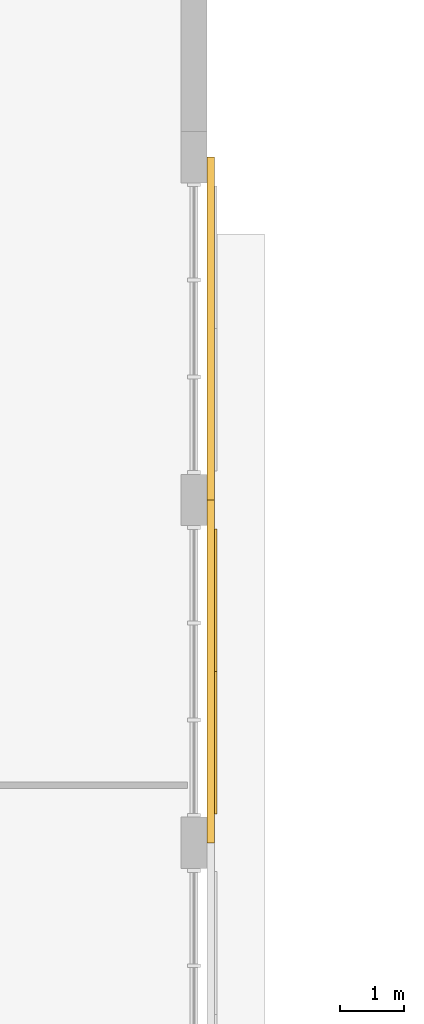
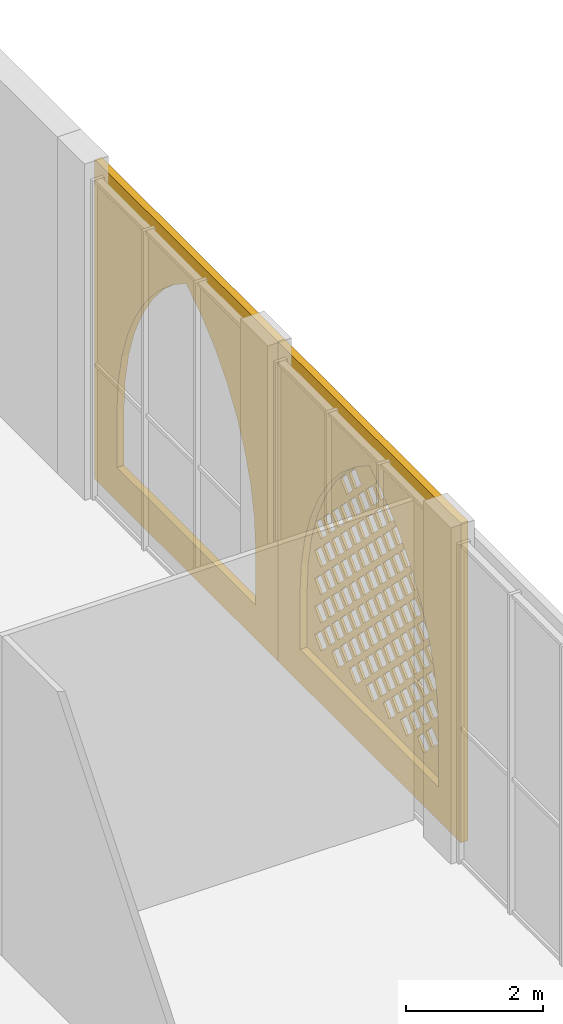
# One storey, part 41 of 74: 3 coverings.
"""IFC4 building model written with IfcOpenShell, lengths in metres."""

import ifcopenshell
import ifcopenshell.guid

model = None  # the IFC model being written
_history = None  # IfcOwnerHistory: only IFC2X3 demands one
_inside = {}  # id of a spatial element -> (the spatial element, [elements in it])
_under = {}  # id of a project, library or spatial element -> (it, [spatial elements below it])
_declared = {}  # id of a project -> (the project, [libraries it declares])
_typed = {}  # id of a type object -> (the type object, [elements of that type])
_made_of = {}  # id of a material, layer set ... -> (it, [elements and type objects made of it])


def new_model(schema):
    """Start an empty IFC model of exactly this schema.

    Asked for "IFC4X3", IfcOpenShell would pick the latest addendum, in which some entities
    have other attributes; the version numbers below select the first issue.
    IFC2X3 requires an IfcOwnerHistory on every rooted entity: one is made here for all.
    """
    global model, _history
    if schema == "IFC4X3":
        model = ifcopenshell.file(schema_version=(4, 3, 0, 0))
    else:
        model = ifcopenshell.file(schema=schema)
    _inside.clear()
    _under.clear()
    _declared.clear()
    _typed.clear()
    _made_of.clear()
    _history = None
    if model.schema == "IFC2X3":
        org = make("IfcOrganization", Name="unknown")
        user = make(
            "IfcPersonAndOrganization",
            ThePerson=make("IfcPerson", FamilyName="unknown"),
            TheOrganization=org,
        )
        app = make(
            "IfcApplication",
            ApplicationDeveloper=org,
            Version="unknown",
            ApplicationFullName="unknown",
            ApplicationIdentifier="unknown",
        )
        _history = make(
            "IfcOwnerHistory",
            OwningUser=user,
            OwningApplication=app,
            ChangeAction="ADDED",
            CreationDate=0,
        )
    return model


def make(cls, **values):
    """One entity of the class cls with the attributes given. An attribute that is None is left unset."""
    return model.create_entity(
        cls, **{name: value for name, value in values.items() if value is not None}
    )


def rooted(cls, **values):
    """An entity with a GlobalId (a new one), such as an element, a storey or a relation."""
    return make(cls, GlobalId=ifcopenshell.guid.new(), OwnerHistory=_history, **values)


def si_unit(unit_type, name, prefix=None):
    """IfcSIUnit, for example si_unit("LENGTHUNIT", "METRE", prefix="MILLI")."""
    return make("IfcSIUnit", UnitType=unit_type, Prefix=prefix, Name=name)


def assignment(units):
    """IfcUnitAssignment: the units of a project."""
    return None if units is None else make("IfcUnitAssignment", Units=units)


def point(xyz):
    """IfcCartesianPoint."""
    return None if xyz is None else make("IfcCartesianPoint", Coordinates=xyz)


def direction(xyz):
    """IfcDirection."""
    return None if xyz is None else make("IfcDirection", DirectionRatios=xyz)


def frame(location, z_axis=None, x_axis=None):
    """IfcAxis2Placement3D, a coordinate frame: its origin and axes. An axis left out is left unset."""
    return make(
        "IfcAxis2Placement3D",
        Location=point(location),
        Axis=direction(z_axis),
        RefDirection=direction(x_axis),
    )


def origin():
    """The frame at (0, 0, 0) with its axes left unset."""
    return frame((0.0, 0.0, 0.0))


def place(relative_to, where):
    """IfcLocalPlacement: puts the frame where relative to a parent placement (None: the world)."""
    return make(
        "IfcLocalPlacement", PlacementRelTo=relative_to, RelativePlacement=where
    )


def context(
    kind, dimensions, precision=None, world=None, true_north=None, identifier=None
):
    """IfcGeometricRepresentationContext, for example the 3D "Model" context."""
    return make(
        "IfcGeometricRepresentationContext",
        ContextIdentifier=identifier,
        ContextType=kind,
        CoordinateSpaceDimension=dimensions,
        Precision=precision,
        WorldCoordinateSystem=world,
        TrueNorth=true_north,
    )


def subcontext(parent, identifier, kind, view, scale=None):
    """IfcGeometricRepresentationSubContext, for example "Body" below "Model"."""
    return make(
        "IfcGeometricRepresentationSubContext",
        ContextIdentifier=identifier,
        ContextType=kind,
        ParentContext=parent,
        TargetScale=scale,
        TargetView=view,
    )


def project(units=None, contexts=None):
    """IfcProject with its units and contexts."""
    return rooted(
        "IfcProject",
        Name="project",
        RepresentationContexts=contexts,
        UnitsInContext=assignment(units),
    )


def spatial(cls, under=None, at=None, **own):
    """A site, building, storey or space (cls), placed at a placement, below another one or the project."""
    s = rooted(cls, ObjectPlacement=at, **own)
    if under is not None:
        _under.setdefault(under.id(), (under, []))[1].append(s)
    return s


def polyline(points):
    """IfcPolyline through the points."""
    return make("IfcPolyline", Points=[point(p) for p in points])


def outline(outer, holes=None, kind="AREA"):
    """IfcArbitraryClosedProfileDef: a profile drawn as a closed curve; with holes, ...WithVoids."""
    if holes is None:
        return make("IfcArbitraryClosedProfileDef", ProfileType=kind, OuterCurve=outer)
    return make(
        "IfcArbitraryProfileDefWithVoids",
        ProfileType=kind,
        OuterCurve=outer,
        InnerCurves=holes,
    )


def extrude(swept, where, along, depth):
    """IfcExtrudedAreaSolid: the profile swept, set in the frame where, extruded along a direction by depth."""
    return make(
        "IfcExtrudedAreaSolid",
        SweptArea=swept,
        Position=where,
        ExtrudedDirection=direction(along),
        Depth=depth,
    )


def shape(context_of_items, identifier, shape_type, items):
    """IfcShapeRepresentation: the items that make up one representation, for example the "Body"."""
    return make(
        "IfcShapeRepresentation",
        ContextOfItems=context_of_items,
        RepresentationIdentifier=identifier,
        RepresentationType=shape_type,
        Items=items,
    )


def material(Name=None, Category=None):
    """IfcMaterial."""
    return make("IfcMaterial", Name=Name, Category=Category)


def layer(
    of_material, thickness, ventilated=None, Name=None, Category=None, Priority=None
):
    """IfcMaterialLayer: one layer of a wall or slab, of a material (None: an air gap)."""
    return make(
        "IfcMaterialLayer",
        Material=of_material,
        LayerThickness=thickness,
        IsVentilated=ventilated,
        Name=Name,
        Category=Category,
        Priority=Priority,
    )


def layer_set(layers, Name=None):
    """IfcMaterialLayerSet."""
    return make("IfcMaterialLayerSet", MaterialLayers=layers, LayerSetName=Name)


def made_of(thing, what):
    """Note that an element or type object is made of a material, layer set ...; save() writes the relation."""
    if what is not None:
        _made_of.setdefault(what.id(), (what, []))[1].append(thing)
    return thing


def type_object(cls, material=None, **own):
    """A type object (cls), such as IfcWallType, which elements share."""
    return made_of(rooted(cls, **own), material)


def element(
    cls,
    number,
    at=None,
    inside=None,
    cuts=None,
    type_object=None,
    material=None,
    context=None,
    identifier="Body",
    shape_type=None,
    held_by="IfcProductDefinitionShape",
    body=None,
    shapes=None,
    **own,
):
    """One element of the class cls, such as IfcWall. Its Tag is "e" and its number.

    at: its placement. inside: the storey or other place that contains it. cuts: it is an
    opening in that element (IfcRelVoidsElement). A single representation is given by context,
    identifier, shape_type and body (its items); several are given by shapes. held_by: the class
    of the entity that holds the representations. save() writes the other relations.
    """
    e = rooted(cls, Tag="e%d" % number, ObjectPlacement=at, **own)
    if body is not None:
        shapes = [shape(context, identifier, shape_type, body)]
    if shapes is not None:
        e.Representation = make(held_by, Representations=shapes)
    if inside is not None:
        _inside.setdefault(inside.id(), (inside, []))[1].append(e)
    if cuts is not None:
        rooted(
            "IfcRelVoidsElement", RelatingBuildingElement=cuts, RelatedOpeningElement=e
        )
    if type_object is not None:
        _typed.setdefault(type_object.id(), (type_object, []))[1].append(e)
    return made_of(e, material)


def aggregate(whole, parts):
    """IfcRelAggregates: a whole, such as a stair, and the parts it consists of."""
    return rooted("IfcRelAggregates", RelatingObject=whole, RelatedObjects=parts)


def save(model, path):
    """Write the relations noted so far, then the file.

    IfcRelAggregates (storeys below a building ...), IfcRelContainedInSpatialStructure (elements
    in a storey), IfcRelDefinesByType, IfcRelAssociatesMaterial and IfcRelDeclares: one each for
    every whole, place, type object, material and project.
    """
    for whole, parts in _under.values():
        aggregate(whole, parts)
    for where, things in _inside.values():
        rooted(
            "IfcRelContainedInSpatialStructure",
            RelatedElements=things,
            RelatingStructure=where,
        )
    for kind, things in _typed.values():
        rooted("IfcRelDefinesByType", RelatedObjects=things, RelatingType=kind)
    for what, things in _made_of.values():
        rooted("IfcRelAssociatesMaterial", RelatedObjects=things, RelatingMaterial=what)
    for by, libraries in _declared.values():
        rooted("IfcRelDeclares", RelatingContext=by, RelatedDefinitions=libraries)
    model.write(path)


model = new_model("IFC4")

# Units and contexts
model_context = context("Model", 3, precision=1e-05, world=origin(), true_north=direction((0.0, 1.0)))
body_context = subcontext(model_context, "Body", "Model", "MODEL_VIEW")
ifc_project = project(units=[si_unit("LENGTHUNIT", "METRE"), si_unit("AREAUNIT", "SQUARE_METRE"), si_unit("VOLUMEUNIT", "CUBIC_METRE"), si_unit("PLANEANGLEUNIT", "RADIAN"), si_unit("MASSUNIT", "GRAM", prefix="KILO")], contexts=[model_context])

# Site, building, storey
site_placement = place(None, origin())
site = spatial("IfcSite", under=ifc_project, at=site_placement, CompositionType="ELEMENT")
building_placement = place(site_placement, origin())
building = spatial("IfcBuilding", under=site, at=building_placement, Name="Noorbagh Ring Tower", CompositionType="ELEMENT")
storey_placement = place(building_placement, frame((0.0, 0.0, 13.5)))
storey = spatial("IfcBuildingStorey", under=building, at=storey_placement, Name="L02", CompositionType="ELEMENT", Elevation=13.5)

# Coverings
ifc_material_1 = material(Name="Red sandstone jali", Category="masonry")
ifc_layer_1 = layer(ifc_material_1, 0.0400390625)
ifc_layer_set_1 = layer_set([ifc_layer_1], Name="Red sandstone jali")
covering_type_1 = type_object("IfcCoveringType", Name="STH-JALI", PredefinedType="USERDEFINED", material=ifc_layer_set_1)
covering_1_placement = place(storey_placement, frame((-94.840087890625, -9.25, 0.39990234375), z_axis=(1.0, 0.0, 0.0), x_axis=(0.0, 1.0, 0.0)))
element("IfcCovering", 1, at=covering_1_placement, inside=storey, type_object=covering_type_1, Name="Jali screen", ObjectType="SCREEN", PredefinedType="USERDEFINED", context=body_context, shape_type="SweptSolid", body=[
    extrude(outline(polyline([(0.0, 0.0), (4.449951171875, 0.0), (4.449951171875, 1.0), (4.411865234375, 1.580810546875), (4.29833984375, 2.15185546875), (4.111328125, 2.702880859375), (3.853759765625, 3.22509765625), (3.530517578125, 3.708984375), (3.146484375, 4.146728515625), (2.708984375, 4.530517578125), (2.22509765625, 4.85400390625), (1.740966796875, 4.530517578125), (1.303466796875, 4.146728515625), (0.919677734375, 3.708984375), (0.59619140625, 3.22509765625), (0.338623046875, 2.702880859375), (0.151611328125, 2.15185546875), (0.0380859375, 1.580810546875), (0.0, 1.0), (0.0, 0.0)]), holes=[polyline([(0.669921875, 0.552001953125), (0.85009765625, 0.371826171875), (1.030029296875, 0.552001953125), (0.85009765625, 0.73193359375), (0.669921875, 0.552001953125)]), polyline([(1.169921875, 0.552001953125), (1.35009765625, 0.371826171875), (1.530029296875, 0.552001953125), (1.35009765625, 0.73193359375), (1.169921875, 0.552001953125)]), polyline([(1.669921875, 0.552001953125), (1.85009765625, 0.371826171875), (2.030029296875, 0.552001953125), (1.85009765625, 0.73193359375), (1.669921875, 0.552001953125)]), polyline([(2.169921875, 0.552001953125), (2.35009765625, 0.371826171875), (2.530029296875, 0.552001953125), (2.35009765625, 0.73193359375), (2.169921875, 0.552001953125)]), polyline([(2.669921875, 0.552001953125), (2.85009765625, 0.371826171875), (3.030029296875, 0.552001953125), (2.85009765625, 0.73193359375), (2.669921875, 0.552001953125)]), polyline([(3.169921875, 0.552001953125), (3.35009765625, 0.371826171875), (3.530029296875, 0.552001953125), (3.35009765625, 0.73193359375), (3.169921875, 0.552001953125)]), polyline([(3.669921875, 0.552001953125), (3.85009765625, 0.371826171875), (4.030029296875, 0.552001953125), (3.85009765625, 0.73193359375), (3.669921875, 0.552001953125)]), polyline([(0.419921875, 0.802001953125), (0.60009765625, 0.621826171875), (0.780029296875, 0.802001953125), (0.60009765625, 0.98193359375), (0.419921875, 0.802001953125)]), polyline([(0.919921875, 0.802001953125), (1.10009765625, 0.621826171875), (1.280029296875, 0.802001953125), (1.10009765625, 0.98193359375), (0.919921875, 0.802001953125)]), polyline([(1.419921875, 0.802001953125), (1.60009765625, 0.621826171875), (1.780029296875, 0.802001953125), (1.60009765625, 0.98193359375), (1.419921875, 0.802001953125)]), polyline([(1.919921875, 0.802001953125), (2.10009765625, 0.621826171875), (2.280029296875, 0.802001953125), (2.10009765625, 0.98193359375), (1.919921875, 0.802001953125)]), polyline([(2.419921875, 0.802001953125), (2.60009765625, 0.621826171875), (2.780029296875, 0.802001953125), (2.60009765625, 0.98193359375), (2.419921875, 0.802001953125)]), polyline([(2.919921875, 0.802001953125), (3.10009765625, 0.621826171875), (3.280029296875, 0.802001953125), (3.10009765625, 0.98193359375), (2.919921875, 0.802001953125)]), polyline([(3.419921875, 0.802001953125), (3.60009765625, 0.621826171875), (3.780029296875, 0.802001953125), (3.60009765625, 0.98193359375), (3.419921875, 0.802001953125)]), polyline([(0.669921875, 1.052001953125), (0.85009765625, 0.871826171875), (1.030029296875, 1.052001953125), (0.85009765625, 1.23193359375), (0.669921875, 1.052001953125)]), polyline([(1.169921875, 1.052001953125), (1.35009765625, 0.871826171875), (1.530029296875, 1.052001953125), (1.35009765625, 1.23193359375), (1.169921875, 1.052001953125)]), polyline([(1.669921875, 1.052001953125), (1.85009765625, 0.871826171875), (2.030029296875, 1.052001953125), (1.85009765625, 1.23193359375), (1.669921875, 1.052001953125)]), polyline([(2.169921875, 1.052001953125), (2.35009765625, 0.871826171875), (2.530029296875, 1.052001953125), (2.35009765625, 1.23193359375), (2.169921875, 1.052001953125)]), polyline([(2.669921875, 1.052001953125), (2.85009765625, 0.871826171875), (3.030029296875, 1.052001953125), (2.85009765625, 1.23193359375), (2.669921875, 1.052001953125)]), polyline([(3.169921875, 1.052001953125), (3.35009765625, 0.871826171875), (3.530029296875, 1.052001953125), (3.35009765625, 1.23193359375), (3.169921875, 1.052001953125)]), polyline([(3.669921875, 1.052001953125), (3.85009765625, 0.871826171875), (4.030029296875, 1.052001953125), (3.85009765625, 1.23193359375), (3.669921875, 1.052001953125)]), polyline([(0.419921875, 1.302001953125), (0.60009765625, 1.121826171875), (0.780029296875, 1.302001953125), (0.60009765625, 1.48193359375), (0.419921875, 1.302001953125)]), polyline([(0.919921875, 1.302001953125), (1.10009765625, 1.121826171875), (1.280029296875, 1.302001953125), (1.10009765625, 1.48193359375), (0.919921875, 1.302001953125)]), polyline([(1.419921875, 1.302001953125), (1.60009765625, 1.121826171875), (1.780029296875, 1.302001953125), (1.60009765625, 1.48193359375), (1.419921875, 1.302001953125)]), polyline([(1.919921875, 1.302001953125), (2.10009765625, 1.121826171875), (2.280029296875, 1.302001953125), (2.10009765625, 1.48193359375), (1.919921875, 1.302001953125)]), polyline([(2.419921875, 1.302001953125), (2.60009765625, 1.121826171875), (2.780029296875, 1.302001953125), (2.60009765625, 1.48193359375), (2.419921875, 1.302001953125)]), polyline([(2.919921875, 1.302001953125), (3.10009765625, 1.121826171875), (3.280029296875, 1.302001953125), (3.10009765625, 1.48193359375), (2.919921875, 1.302001953125)]), polyline([(3.419921875, 1.302001953125), (3.60009765625, 1.121826171875), (3.780029296875, 1.302001953125), (3.60009765625, 1.48193359375), (3.419921875, 1.302001953125)]), polyline([(0.669921875, 1.552001953125), (0.85009765625, 1.371826171875), (1.030029296875, 1.552001953125), (0.85009765625, 1.73193359375), (0.669921875, 1.552001953125)]), polyline([(1.169921875, 1.552001953125), (1.35009765625, 1.371826171875), (1.530029296875, 1.552001953125), (1.35009765625, 1.73193359375), (1.169921875, 1.552001953125)]), polyline([(1.669921875, 1.552001953125), (1.85009765625, 1.371826171875), (2.030029296875, 1.552001953125), (1.85009765625, 1.73193359375), (1.669921875, 1.552001953125)]), polyline([(2.169921875, 1.552001953125), (2.35009765625, 1.371826171875), (2.530029296875, 1.552001953125), (2.35009765625, 1.73193359375), (2.169921875, 1.552001953125)]), polyline([(2.669921875, 1.552001953125), (2.85009765625, 1.371826171875), (3.030029296875, 1.552001953125), (2.85009765625, 1.73193359375), (2.669921875, 1.552001953125)]), polyline([(3.169921875, 1.552001953125), (3.35009765625, 1.371826171875), (3.530029296875, 1.552001953125), (3.35009765625, 1.73193359375), (3.169921875, 1.552001953125)]), polyline([(3.669921875, 1.552001953125), (3.85009765625, 1.371826171875), (4.030029296875, 1.552001953125), (3.85009765625, 1.73193359375), (3.669921875, 1.552001953125)]), polyline([(0.419921875, 1.802001953125), (0.60009765625, 1.621826171875), (0.780029296875, 1.802001953125), (0.60009765625, 1.98193359375), (0.419921875, 1.802001953125)]), polyline([(0.919921875, 1.802001953125), (1.10009765625, 1.621826171875), (1.280029296875, 1.802001953125), (1.10009765625, 1.98193359375), (0.919921875, 1.802001953125)]), polyline([(1.419921875, 1.802001953125), (1.60009765625, 1.621826171875), (1.780029296875, 1.802001953125), (1.60009765625, 1.98193359375), (1.419921875, 1.802001953125)]), polyline([(1.919921875, 1.802001953125), (2.10009765625, 1.621826171875), (2.280029296875, 1.802001953125), (2.10009765625, 1.98193359375), (1.919921875, 1.802001953125)]), polyline([(2.419921875, 1.802001953125), (2.60009765625, 1.621826171875), (2.780029296875, 1.802001953125), (2.60009765625, 1.98193359375), (2.419921875, 1.802001953125)]), polyline([(2.919921875, 1.802001953125), (3.10009765625, 1.621826171875), (3.280029296875, 1.802001953125), (3.10009765625, 1.98193359375), (2.919921875, 1.802001953125)]), polyline([(3.419921875, 1.802001953125), (3.60009765625, 1.621826171875), (3.780029296875, 1.802001953125), (3.60009765625, 1.98193359375), (3.419921875, 1.802001953125)]), polyline([(0.669921875, 2.052001953125), (0.85009765625, 1.871826171875), (1.030029296875, 2.052001953125), (0.85009765625, 2.23193359375), (0.669921875, 2.052001953125)]), polyline([(1.169921875, 2.052001953125), (1.35009765625, 1.871826171875), (1.530029296875, 2.052001953125), (1.35009765625, 2.23193359375), (1.169921875, 2.052001953125)]), polyline([(1.669921875, 2.052001953125), (1.85009765625, 1.871826171875), (2.030029296875, 2.052001953125), (1.85009765625, 2.23193359375), (1.669921875, 2.052001953125)]), polyline([(2.169921875, 2.052001953125), (2.35009765625, 1.871826171875), (2.530029296875, 2.052001953125), (2.35009765625, 2.23193359375), (2.169921875, 2.052001953125)]), polyline([(2.669921875, 2.052001953125), (2.85009765625, 1.871826171875), (3.030029296875, 2.052001953125), (2.85009765625, 2.23193359375), (2.669921875, 2.052001953125)]), polyline([(3.169921875, 2.052001953125), (3.35009765625, 1.871826171875), (3.530029296875, 2.052001953125), (3.35009765625, 2.23193359375), (3.169921875, 2.052001953125)]), polyline([(3.669921875, 2.052001953125), (3.85009765625, 1.871826171875), (4.030029296875, 2.052001953125), (3.85009765625, 2.23193359375), (3.669921875, 2.052001953125)]), polyline([(0.419921875, 2.302001953125), (0.60009765625, 2.121826171875), (0.780029296875, 2.302001953125), (0.60009765625, 2.48193359375), (0.419921875, 2.302001953125)]), polyline([(0.919921875, 2.302001953125), (1.10009765625, 2.121826171875), (1.280029296875, 2.302001953125), (1.10009765625, 2.48193359375), (0.919921875, 2.302001953125)]), polyline([(1.419921875, 2.302001953125), (1.60009765625, 2.121826171875), (1.780029296875, 2.302001953125), (1.60009765625, 2.48193359375), (1.419921875, 2.302001953125)]), polyline([(1.919921875, 2.302001953125), (2.10009765625, 2.121826171875), (2.280029296875, 2.302001953125), (2.10009765625, 2.48193359375), (1.919921875, 2.302001953125)]), polyline([(2.419921875, 2.302001953125), (2.60009765625, 2.121826171875), (2.780029296875, 2.302001953125), (2.60009765625, 2.48193359375), (2.419921875, 2.302001953125)]), polyline([(2.919921875, 2.302001953125), (3.10009765625, 2.121826171875), (3.280029296875, 2.302001953125), (3.10009765625, 2.48193359375), (2.919921875, 2.302001953125)]), polyline([(3.419921875, 2.302001953125), (3.60009765625, 2.121826171875), (3.780029296875, 2.302001953125), (3.60009765625, 2.48193359375), (3.419921875, 2.302001953125)]), polyline([(0.669921875, 2.552001953125), (0.85009765625, 2.371826171875), (1.030029296875, 2.552001953125), (0.85009765625, 2.73193359375), (0.669921875, 2.552001953125)]), polyline([(1.169921875, 2.552001953125), (1.35009765625, 2.371826171875), (1.530029296875, 2.552001953125), (1.35009765625, 2.73193359375), (1.169921875, 2.552001953125)]), polyline([(1.669921875, 2.552001953125), (1.85009765625, 2.371826171875), (2.030029296875, 2.552001953125), (1.85009765625, 2.73193359375), (1.669921875, 2.552001953125)]), polyline([(2.169921875, 2.552001953125), (2.35009765625, 2.371826171875), (2.530029296875, 2.552001953125), (2.35009765625, 2.73193359375), (2.169921875, 2.552001953125)]), polyline([(2.669921875, 2.552001953125), (2.85009765625, 2.371826171875), (3.030029296875, 2.552001953125), (2.85009765625, 2.73193359375), (2.669921875, 2.552001953125)]), polyline([(3.169921875, 2.552001953125), (3.35009765625, 2.371826171875), (3.530029296875, 2.552001953125), (3.35009765625, 2.73193359375), (3.169921875, 2.552001953125)]), polyline([(3.669921875, 2.552001953125), (3.85009765625, 2.371826171875), (4.030029296875, 2.552001953125), (3.85009765625, 2.73193359375), (3.669921875, 2.552001953125)]), polyline([(0.919921875, 2.802001953125), (1.10009765625, 2.621826171875), (1.280029296875, 2.802001953125), (1.10009765625, 2.98193359375), (0.919921875, 2.802001953125)]), polyline([(1.419921875, 2.802001953125), (1.60009765625, 2.621826171875), (1.780029296875, 2.802001953125), (1.60009765625, 2.98193359375), (1.419921875, 2.802001953125)]), polyline([(1.919921875, 2.802001953125), (2.10009765625, 2.621826171875), (2.280029296875, 2.802001953125), (2.10009765625, 2.98193359375), (1.919921875, 2.802001953125)]), polyline([(2.419921875, 2.802001953125), (2.60009765625, 2.621826171875), (2.780029296875, 2.802001953125), (2.60009765625, 2.98193359375), (2.419921875, 2.802001953125)]), polyline([(2.919921875, 2.802001953125), (3.10009765625, 2.621826171875), (3.280029296875, 2.802001953125), (3.10009765625, 2.98193359375), (2.919921875, 2.802001953125)]), polyline([(3.419921875, 2.802001953125), (3.60009765625, 2.621826171875), (3.780029296875, 2.802001953125), (3.60009765625, 2.98193359375), (3.419921875, 2.802001953125)]), polyline([(0.669921875, 3.052001953125), (0.85009765625, 2.871826171875), (1.030029296875, 3.052001953125), (0.85009765625, 3.23193359375), (0.669921875, 3.052001953125)]), polyline([(1.169921875, 3.052001953125), (1.35009765625, 2.871826171875), (1.530029296875, 3.052001953125), (1.35009765625, 3.23193359375), (1.169921875, 3.052001953125)]), polyline([(1.669921875, 3.052001953125), (1.85009765625, 2.871826171875), (2.030029296875, 3.052001953125), (1.85009765625, 3.23193359375), (1.669921875, 3.052001953125)]), polyline([(2.169921875, 3.052001953125), (2.35009765625, 2.871826171875), (2.530029296875, 3.052001953125), (2.35009765625, 3.23193359375), (2.169921875, 3.052001953125)]), polyline([(2.669921875, 3.052001953125), (2.85009765625, 2.871826171875), (3.030029296875, 3.052001953125), (2.85009765625, 3.23193359375), (2.669921875, 3.052001953125)]), polyline([(3.169921875, 3.052001953125), (3.35009765625, 2.871826171875), (3.530029296875, 3.052001953125), (3.35009765625, 3.23193359375), (3.169921875, 3.052001953125)]), polyline([(0.919921875, 3.302001953125), (1.10009765625, 3.121826171875), (1.280029296875, 3.302001953125), (1.10009765625, 3.48193359375), (0.919921875, 3.302001953125)]), polyline([(1.419921875, 3.302001953125), (1.60009765625, 3.121826171875), (1.780029296875, 3.302001953125), (1.60009765625, 3.48193359375), (1.419921875, 3.302001953125)]), polyline([(1.919921875, 3.302001953125), (2.10009765625, 3.121826171875), (2.280029296875, 3.302001953125), (2.10009765625, 3.48193359375), (1.919921875, 3.302001953125)]), polyline([(2.419921875, 3.302001953125), (2.60009765625, 3.121826171875), (2.780029296875, 3.302001953125), (2.60009765625, 3.48193359375), (2.419921875, 3.302001953125)]), polyline([(2.919921875, 3.302001953125), (3.10009765625, 3.121826171875), (3.280029296875, 3.302001953125), (3.10009765625, 3.48193359375), (2.919921875, 3.302001953125)]), polyline([(1.169921875, 3.552001953125), (1.35009765625, 3.371826171875), (1.530029296875, 3.552001953125), (1.35009765625, 3.73193359375), (1.169921875, 3.552001953125)]), polyline([(1.669921875, 3.552001953125), (1.85009765625, 3.371826171875), (2.030029296875, 3.552001953125), (1.85009765625, 3.73193359375), (1.669921875, 3.552001953125)]), polyline([(2.169921875, 3.552001953125), (2.35009765625, 3.371826171875), (2.530029296875, 3.552001953125), (2.35009765625, 3.73193359375), (2.169921875, 3.552001953125)]), polyline([(2.669921875, 3.552001953125), (2.85009765625, 3.371826171875), (3.030029296875, 3.552001953125), (2.85009765625, 3.73193359375), (2.669921875, 3.552001953125)]), polyline([(1.419921875, 3.802001953125), (1.60009765625, 3.621826171875), (1.780029296875, 3.802001953125), (1.60009765625, 3.98193359375), (1.419921875, 3.802001953125)]), polyline([(1.919921875, 3.802001953125), (2.10009765625, 3.621826171875), (2.280029296875, 3.802001953125), (2.10009765625, 3.98193359375), (1.919921875, 3.802001953125)]), polyline([(2.419921875, 3.802001953125), (2.60009765625, 3.621826171875), (2.780029296875, 3.802001953125), (2.60009765625, 3.98193359375), (2.419921875, 3.802001953125)]), polyline([(2.919921875, 3.802001953125), (3.10009765625, 3.621826171875), (3.280029296875, 3.802001953125), (3.10009765625, 3.98193359375), (2.919921875, 3.802001953125)]), polyline([(1.669921875, 4.052001953125), (1.85009765625, 3.871826171875), (2.030029296875, 4.052001953125), (1.85009765625, 4.23193359375), (1.669921875, 4.052001953125)]), polyline([(2.169921875, 4.052001953125), (2.35009765625, 3.871826171875), (2.530029296875, 4.052001953125), (2.35009765625, 4.23193359375), (2.169921875, 4.052001953125)]), polyline([(2.669921875, 4.052001953125), (2.85009765625, 3.871826171875), (3.030029296875, 4.052001953125), (2.85009765625, 4.23193359375), (2.669921875, 4.052001953125)]), polyline([(1.919921875, 4.302001953125), (2.10009765625, 4.121826171875), (2.280029296875, 4.302001953125), (2.10009765625, 4.48193359375), (1.919921875, 4.302001953125)])]), origin(), (0.0, 0.0, -1.0), 0.0400390625),
])
ifc_material_2 = material(Name="Red sandstone cladding", Category="masonry")
ifc_layer_2 = layer(ifc_material_2, 0.1201171875)
ifc_layer_set_2 = layer_set([ifc_layer_2], Name="Red sandstone cladding")
covering_type_2 = type_object("IfcCoveringType", Name="STH-SPANDREL", PredefinedType="USERDEFINED", material=ifc_layer_set_2)
covering_2_placement = place(storey_placement, frame((-94.8798828125, -9.699951171875, 0.0), z_axis=(1.0, 0.0, 0.0), x_axis=(0.0, 1.0, 0.0)))
element("IfcCovering", 2, at=covering_2_placement, inside=storey, type_object=covering_type_2, Name="Arch spandrel", ObjectType="ARCH", PredefinedType="USERDEFINED", context=body_context, shape_type="SweptSolid", body=[
    extrude(outline(polyline([(0.0, 0.0), (5.349853515625, 0.0), (5.349853515625, 5.699951171875), (0.0, 5.699951171875), (0.0, 0.0)]), holes=[polyline([(0.64990234375, 0.60009765625), (0.64990234375, 1.60009765625), (0.6845703125, 2.128662109375), (0.7880859375, 2.648193359375), (0.958251953125, 3.14990234375), (1.192626953125, 3.625), (1.48681640625, 4.0654296875), (1.836181640625, 4.4638671875), (2.234619140625, 4.81298828125), (2.675048828125, 5.107421875), (3.115478515625, 4.81298828125), (3.513916015625, 4.4638671875), (3.863037109375, 4.0654296875), (4.157470703125, 3.625), (4.3916015625, 3.14990234375), (4.56201171875, 2.648193359375), (4.665283203125, 2.128662109375), (4.699951171875, 1.60009765625), (4.699951171875, 0.60009765625), (0.64990234375, 0.60009765625)])]), origin(), (0.0, 0.0, -1.0), 0.1201171875),
])
covering_3_placement = place(storey_placement, frame((-94.8798828125, -4.35009765625, 0.0), z_axis=(1.0, 0.0, 0.0), x_axis=(0.0, 1.0, 0.0)))
element("IfcCovering", 3, at=covering_3_placement, inside=storey, type_object=covering_type_2, Name="Arch spandrel", ObjectType="ARCH", PredefinedType="USERDEFINED", context=body_context, shape_type="SweptSolid", body=[
    extrude(outline(polyline([(0.0, 0.0), (5.35009765625, 0.0), (5.35009765625, 5.699951171875), (0.0, 5.699951171875), (0.0, 0.0)]), holes=[polyline([(0.64990234375, 0.60009765625), (0.64990234375, 1.60009765625), (0.6845703125, 2.128662109375), (0.7880859375, 2.648193359375), (0.958251953125, 3.14990234375), (1.192626953125, 3.625), (1.48681640625, 4.0654296875), (1.836181640625, 4.4638671875), (2.234619140625, 4.81298828125), (2.675048828125, 5.107421875), (3.115478515625, 4.81298828125), (3.513916015625, 4.4638671875), (3.863037109375, 4.0654296875), (4.157470703125, 3.625), (4.3916015625, 3.14990234375), (4.56201171875, 2.648193359375), (4.665283203125, 2.128662109375), (4.699951171875, 1.60009765625), (4.699951171875, 0.60009765625), (0.64990234375, 0.60009765625)])]), origin(), (0.0, 0.0, -1.0), 0.1201171875),
])

save(model, "model.ifc")
